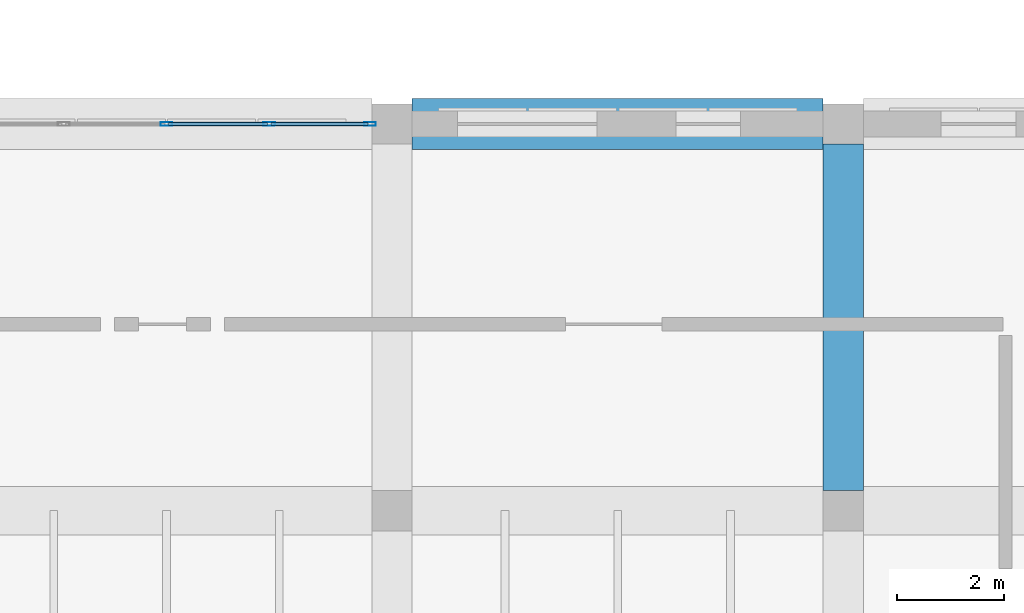
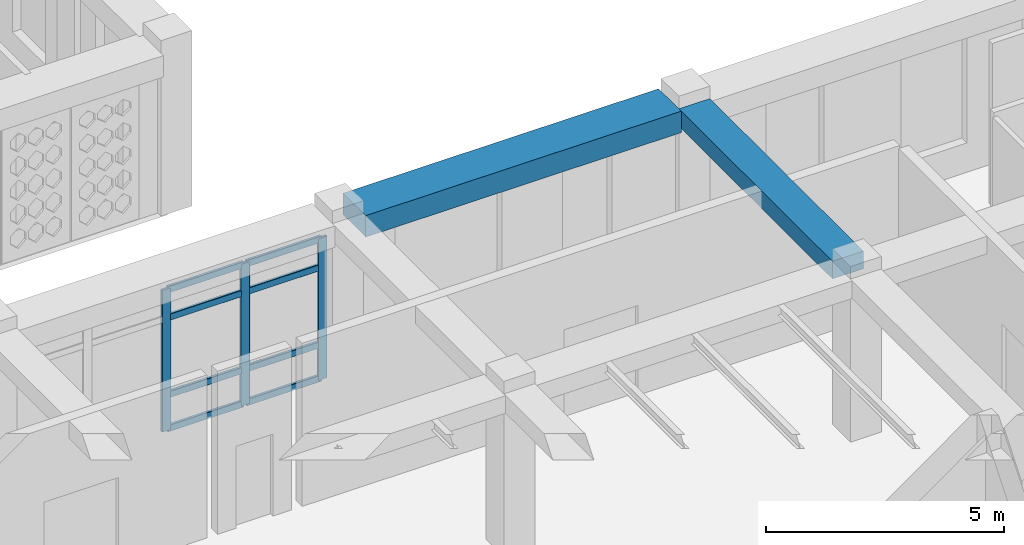
# One storey, part 26 of 111: 11 members, 2 beams, 1 element without a shape of its own.
"""IFC4 building model written with IfcOpenShell, lengths in metres."""

from ifc_helpers import new_model, si_unit, derived_unit, direction, frame, origin, origin_2d, place, context, subcontext, project, spatial, rectangle, hollow_rectangle, extrude, material, material_profile, profile_set, type_object, element, aggregate, save


model = new_model("IFC4")

# Units and contexts
model_context = context("Model", 3, precision=1e-05, world=origin(), true_north=direction((0.0, 1.0)))
body_context = subcontext(model_context, "Body", "Model", "MODEL_VIEW")
ifc_project = project(units=[si_unit("LENGTHUNIT", "METRE"), si_unit("AREAUNIT", "SQUARE_METRE"), si_unit("VOLUMEUNIT", "CUBIC_METRE"), si_unit("PLANEANGLEUNIT", "RADIAN"), si_unit("MASSUNIT", "GRAM", prefix="KILO"), derived_unit("THERMALTRANSMITTANCEUNIT", [(si_unit("POWERUNIT", "WATT"), 1), (si_unit("LENGTHUNIT", "METRE"), -2), (si_unit("THERMODYNAMICTEMPERATUREUNIT", "KELVIN"), -1)])], contexts=[model_context])

# Site, building, storey
site_placement = place(None, origin())
site = spatial("IfcSite", under=ifc_project, at=site_placement, CompositionType="ELEMENT")
building_placement = place(site_placement, origin())
building = spatial("IfcBuilding", under=site, at=building_placement, Name="Veybourne Emporium", CompositionType="ELEMENT")
storey_placement = place(building_placement, frame((0.0, 0.0, 9.89990234375)))
storey = spatial("IfcBuildingStorey", under=building, at=storey_placement, Name="L02", CompositionType="ELEMENT", Elevation=9.89990234375)

# Curtain wall, members
ifc_material_1 = material(Name="Patinated Architectural Bronze", Category="bronze")
curtain_wall_type = type_object("IfcCurtainWallType", Name="CWSystem_CWS-20", PredefinedType="NOTDEFINED", material=ifc_material_1)
curtain_wall_placement = place(storey_placement, origin())
curtain_wall = element("IfcCurtainWall", 1, at=curtain_wall_placement, inside=storey, type_object=curtain_wall_type, Name="L02 bronze glazed curtain wall CWS-20 (048)", PredefinedType="NOTDEFINED")
ifc_material_profile_1 = material_profile(ifc_material_1, hollow_rectangle(XDim=0.070068359375, YDim=0.219970703125, WallThickness=0.0048828125, InnerFilletRadius=0.007568359375, OuterFilletRadius=0.012451171875, at=origin_2d()), Name="CWM 70x220x5")
ifc_profile_set_1 = profile_set([ifc_material_profile_1], Name="Patinated Architectural Bronze")
member_type_1 = type_object("IfcMemberType", Name="CWMullion_CW-M4", PredefinedType="MULLION", material=ifc_profile_set_1)
member_1_placement = place(storey_placement, frame((96.60009765625, 28.800048828125, 0.0), z_axis=(0.0, 0.0, 1.0), x_axis=(0.0, 1.0, 0.0)))
member_1 = element("IfcMember", 2, at=member_1_placement, type_object=member_type_1, Name="CWS-20 mullion 3", PredefinedType="MULLION", context=body_context, shape_type="SweptSolid", body=[
    extrude(hollow_rectangle(XDim=0.070068359375, YDim=0.219970703125, WallThickness=0.0048828125, InnerFilletRadius=0.007568359375, OuterFilletRadius=0.012451171875, at=origin_2d()), origin(), (0.0, 0.0, 1.0), 3.630126953125),
])
member_2_placement = place(storey_placement, frame((98.512451171875, 28.800048828125, 0.0), z_axis=(0.0, 0.0, 1.0), x_axis=(0.0, 1.0, 0.0)))
member_2 = element("IfcMember", 3, at=member_2_placement, type_object=member_type_1, Name="CWS-20 mullion 4", PredefinedType="MULLION", context=body_context, shape_type="SweptSolid", body=[
    extrude(hollow_rectangle(XDim=0.070068359375, YDim=0.219970703125, WallThickness=0.0048828125, InnerFilletRadius=0.007568359375, OuterFilletRadius=0.012451171875, at=origin_2d()), origin(), (0.0, 0.0, 1.0), 3.630126953125),
])
member_3_placement = place(storey_placement, frame((100.389892578125, 28.800048828125, 0.0), z_axis=(0.0, 0.0, 1.0), x_axis=(0.0, 1.0, 0.0)))
member_3 = element("IfcMember", 4, at=member_3_placement, type_object=member_type_1, Name="CWS-20 mullion 5", PredefinedType="MULLION", context=body_context, shape_type="SweptSolid", body=[
    extrude(hollow_rectangle(XDim=0.070068359375, YDim=0.219970703125, WallThickness=0.0048828125, InnerFilletRadius=0.007568359375, OuterFilletRadius=0.012451171875, at=origin_2d()), origin(), (0.0, 0.0, 1.0), 3.630126953125),
])
ifc_material_profile_2 = material_profile(ifc_material_1, hollow_rectangle(XDim=0.070068359375, YDim=0.169921875, WallThickness=0.0048828125, InnerFilletRadius=0.007568359375, OuterFilletRadius=0.012451171875, at=origin_2d()), Name="CWT 70x170x5")
ifc_profile_set_2 = profile_set([ifc_material_profile_2], Name="Patinated Architectural Bronze")
member_type_2 = type_object("IfcMemberType", Name="CWTransom_CW-T4", PredefinedType="NOTDEFINED", material=ifc_profile_set_2)
member_4_placement = place(storey_placement, frame((96.635009765625, 28.800048828125, 0.03515625), z_axis=(1.0, 0.0, 0.0), x_axis=(0.0, 1.0, 0.0)))
member_4 = element("IfcMember", 5, at=member_4_placement, type_object=member_type_2, Name="CWS-20 transom 3.1", ObjectType="TRANSOM", PredefinedType="USERDEFINED", context=body_context, shape_type="SweptSolid", body=[
    extrude(hollow_rectangle(XDim=0.070068359375, YDim=0.169921875, WallThickness=0.0048828125, InnerFilletRadius=0.007568359375, OuterFilletRadius=0.012451171875, at=origin_2d()), origin(), (0.0, 0.0, 1.0), 1.842529296875),
])
member_5_placement = place(storey_placement, frame((96.635009765625, 28.800048828125, 0.900146484375), z_axis=(1.0, 0.0, 0.0), x_axis=(0.0, 1.0, 0.0)))
member_5 = element("IfcMember", 6, at=member_5_placement, type_object=member_type_2, Name="CWS-20 transom 3.2", ObjectType="TRANSOM", PredefinedType="USERDEFINED", context=body_context, shape_type="SweptSolid", body=[
    extrude(hollow_rectangle(XDim=0.070068359375, YDim=0.169921875, WallThickness=0.0048828125, InnerFilletRadius=0.007568359375, OuterFilletRadius=0.012451171875, at=origin_2d()), origin(), (0.0, 0.0, 1.0), 1.842529296875),
])
member_6_placement = place(storey_placement, frame((96.635009765625, 28.800048828125, 2.880126953125), z_axis=(1.0, 0.0, 0.0), x_axis=(0.0, 1.0, 0.0)))
member_6 = element("IfcMember", 7, at=member_6_placement, type_object=member_type_2, Name="CWS-20 transom 3.3", ObjectType="TRANSOM", PredefinedType="USERDEFINED", context=body_context, shape_type="SweptSolid", body=[
    extrude(hollow_rectangle(XDim=0.070068359375, YDim=0.169921875, WallThickness=0.0048828125, InnerFilletRadius=0.007568359375, OuterFilletRadius=0.012451171875, at=origin_2d()), origin(), (0.0, 0.0, 1.0), 1.842529296875),
])
member_7_placement = place(storey_placement, frame((96.635009765625, 28.800048828125, 3.59521484375), z_axis=(1.0, 0.0, 0.0), x_axis=(0.0, 1.0, 0.0)))
member_7 = element("IfcMember", 8, at=member_7_placement, type_object=member_type_2, Name="CWS-20 transom 3.4", ObjectType="TRANSOM", PredefinedType="USERDEFINED", context=body_context, shape_type="SweptSolid", body=[
    extrude(hollow_rectangle(XDim=0.070068359375, YDim=0.169921875, WallThickness=0.0048828125, InnerFilletRadius=0.007568359375, OuterFilletRadius=0.012451171875, at=origin_2d()), origin(), (0.0, 0.0, 1.0), 1.842529296875),
])
member_8_placement = place(storey_placement, frame((98.547607421875, 28.800048828125, 0.03515625), z_axis=(1.0, 0.0, 0.0), x_axis=(0.0, 1.0, 0.0)))
member_8 = element("IfcMember", 9, at=member_8_placement, type_object=member_type_2, Name="CWS-20 transom 4.1", ObjectType="TRANSOM", PredefinedType="USERDEFINED", context=body_context, shape_type="SweptSolid", body=[
    extrude(hollow_rectangle(XDim=0.070068359375, YDim=0.169921875, WallThickness=0.0048828125, InnerFilletRadius=0.007568359375, OuterFilletRadius=0.012451171875, at=origin_2d()), origin(), (0.0, 0.0, 1.0), 1.807373046875),
])
member_9_placement = place(storey_placement, frame((98.547607421875, 28.800048828125, 0.900146484375), z_axis=(1.0, 0.0, 0.0), x_axis=(0.0, 1.0, 0.0)))
member_9 = element("IfcMember", 10, at=member_9_placement, type_object=member_type_2, Name="CWS-20 transom 4.2", ObjectType="TRANSOM", PredefinedType="USERDEFINED", context=body_context, shape_type="SweptSolid", body=[
    extrude(hollow_rectangle(XDim=0.070068359375, YDim=0.169921875, WallThickness=0.0048828125, InnerFilletRadius=0.007568359375, OuterFilletRadius=0.012451171875, at=origin_2d()), origin(), (0.0, 0.0, 1.0), 1.807373046875),
])
member_10_placement = place(storey_placement, frame((98.547607421875, 28.800048828125, 2.880126953125), z_axis=(1.0, 0.0, 0.0), x_axis=(0.0, 1.0, 0.0)))
member_10 = element("IfcMember", 11, at=member_10_placement, type_object=member_type_2, Name="CWS-20 transom 4.3", ObjectType="TRANSOM", PredefinedType="USERDEFINED", context=body_context, shape_type="SweptSolid", body=[
    extrude(hollow_rectangle(XDim=0.070068359375, YDim=0.169921875, WallThickness=0.0048828125, InnerFilletRadius=0.007568359375, OuterFilletRadius=0.012451171875, at=origin_2d()), origin(), (0.0, 0.0, 1.0), 1.807373046875),
])
member_11_placement = place(storey_placement, frame((98.547607421875, 28.800048828125, 3.59521484375), z_axis=(1.0, 0.0, 0.0), x_axis=(0.0, 1.0, 0.0)))
member_11 = element("IfcMember", 12, at=member_11_placement, type_object=member_type_2, Name="CWS-20 transom 4.4", ObjectType="TRANSOM", PredefinedType="USERDEFINED", context=body_context, shape_type="SweptSolid", body=[
    extrude(hollow_rectangle(XDim=0.070068359375, YDim=0.169921875, WallThickness=0.0048828125, InnerFilletRadius=0.007568359375, OuterFilletRadius=0.012451171875, at=origin_2d()), origin(), (0.0, 0.0, 1.0), 1.807373046875),
])
aggregate(curtain_wall, [member_1, member_2, member_3, member_4, member_5, member_6, member_7, member_8, member_9, member_10, member_11])

# Beams
ifc_material_2 = material(Name="Concrete C32/40", Category="concrete")
ifc_material_profile_3 = material_profile(ifc_material_2, rectangle(XDim=0.75, YDim=0.449951171875, at=origin_2d()), Name="RC 750x450")
ifc_profile_set_3 = profile_set([ifc_material_profile_3], Name="Concrete C32/40")
beam_type_1 = type_object("IfcBeamType", Name="RCBeam_BB-04", PredefinedType="BEAM", material=ifc_profile_set_3)
beam_1_placement = place(storey_placement, frame((109.199951171875, 21.97509765625, 3.955078125), z_axis=(0.0, 1.0, 0.0), x_axis=(-1.0, 0.0, 0.0)))
element("IfcBeam", 13, at=beam_1_placement, inside=storey, type_object=beam_type_1, Name="L02 Y-grid beam BB-04 (13,3)", PredefinedType="BEAM", context=body_context, shape_type="SweptSolid", body=[
    extrude(rectangle(XDim=0.75, YDim=0.449951171875, at=origin_2d()), origin(), (0.0, 0.0, 1.0), 6.449951171875),
])
ifc_material_profile_4 = material_profile(ifc_material_2, rectangle(XDim=0.949951171875, YDim=0.550048828125, at=origin_2d()), Name="RC 950x550")
ifc_profile_set_4 = profile_set([ifc_material_profile_4], Name="Concrete C32/40")
beam_type_2 = type_object("IfcBeamType", Name="RCBeam_EB-01", PredefinedType="SPANDREL", material=ifc_profile_set_4)
beam_2_placement = place(storey_placement, frame((101.175048828125, 28.800048828125, 3.905029296875), z_axis=(1.0, 0.0, 0.0), x_axis=(0.0, 1.0, 0.0)))
element("IfcBeam", 14, at=beam_2_placement, inside=storey, type_object=beam_type_2, Name="L02 X-grid beam EB-01 (12,4)", PredefinedType="SPANDREL", context=body_context, shape_type="SweptSolid", body=[
    extrude(rectangle(XDim=0.949951171875, YDim=0.550048828125, at=origin_2d()), origin(), (0.0, 0.0, 1.0), 7.64990234375),
])

save(model, "model.ifc")
